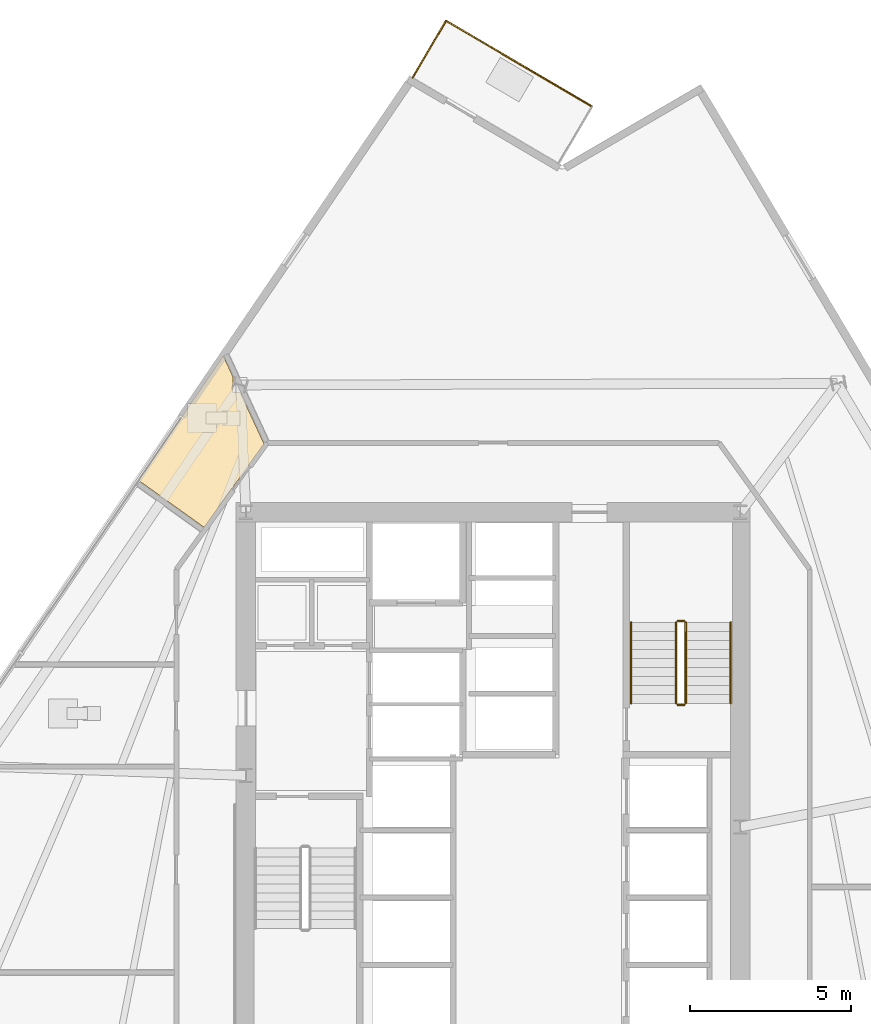
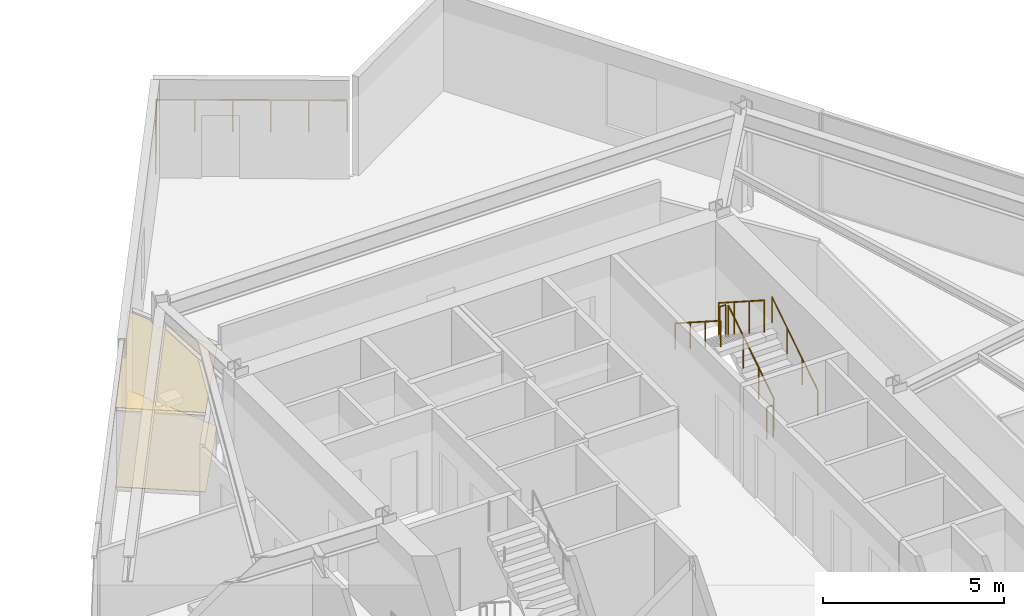
# One storey, part 16 of 18: 8 railings, 2 coverings.
"""IFC4 building model written with IfcOpenShell, lengths in metres."""

import ifcopenshell
import ifcopenshell.guid

model = None  # the IFC model being written
_history = None  # IfcOwnerHistory: only IFC2X3 demands one
_inside = {}  # id of a spatial element -> (the spatial element, [elements in it])
_under = {}  # id of a project, library or spatial element -> (it, [spatial elements below it])
_declared = {}  # id of a project -> (the project, [libraries it declares])
_typed = {}  # id of a type object -> (the type object, [elements of that type])
_made_of = {}  # id of a material, layer set ... -> (it, [elements and type objects made of it])


def new_model(schema):
    """Start an empty IFC model of exactly this schema.

    Asked for "IFC4X3", IfcOpenShell would pick the latest addendum, in which some entities
    have other attributes; the version numbers below select the first issue.
    IFC2X3 requires an IfcOwnerHistory on every rooted entity: one is made here for all.
    """
    global model, _history
    if schema == "IFC4X3":
        model = ifcopenshell.file(schema_version=(4, 3, 0, 0))
    else:
        model = ifcopenshell.file(schema=schema)
    _inside.clear()
    _under.clear()
    _declared.clear()
    _typed.clear()
    _made_of.clear()
    _history = None
    if model.schema == "IFC2X3":
        org = make("IfcOrganization", Name="unknown")
        user = make(
            "IfcPersonAndOrganization",
            ThePerson=make("IfcPerson", FamilyName="unknown"),
            TheOrganization=org,
        )
        app = make(
            "IfcApplication",
            ApplicationDeveloper=org,
            Version="unknown",
            ApplicationFullName="unknown",
            ApplicationIdentifier="unknown",
        )
        _history = make(
            "IfcOwnerHistory",
            OwningUser=user,
            OwningApplication=app,
            ChangeAction="ADDED",
            CreationDate=0,
        )
    return model


def make(cls, **values):
    """One entity of the class cls with the attributes given. An attribute that is None is left unset."""
    return model.create_entity(
        cls, **{name: value for name, value in values.items() if value is not None}
    )


def rooted(cls, **values):
    """An entity with a GlobalId (a new one), such as an element, a storey or a relation."""
    return make(cls, GlobalId=ifcopenshell.guid.new(), OwnerHistory=_history, **values)


def si_unit(unit_type, name, prefix=None):
    """IfcSIUnit, for example si_unit("LENGTHUNIT", "METRE", prefix="MILLI")."""
    return make("IfcSIUnit", UnitType=unit_type, Prefix=prefix, Name=name)


def assignment(units):
    """IfcUnitAssignment: the units of a project."""
    return None if units is None else make("IfcUnitAssignment", Units=units)


def point(xyz):
    """IfcCartesianPoint."""
    return None if xyz is None else make("IfcCartesianPoint", Coordinates=xyz)


def direction(xyz):
    """IfcDirection."""
    return None if xyz is None else make("IfcDirection", DirectionRatios=xyz)


def frame(location, z_axis=None, x_axis=None):
    """IfcAxis2Placement3D, a coordinate frame: its origin and axes. An axis left out is left unset."""
    return make(
        "IfcAxis2Placement3D",
        Location=point(location),
        Axis=direction(z_axis),
        RefDirection=direction(x_axis),
    )


def frame_2d(location, x_axis=None):
    """IfcAxis2Placement2D, a coordinate frame in the plane: its origin and x axis."""
    return make(
        "IfcAxis2Placement2D", Location=point(location), RefDirection=direction(x_axis)
    )


def origin():
    """The frame at (0, 0, 0) with its axes left unset."""
    return frame((0.0, 0.0, 0.0))


def origin_2d():
    """The frame at (0, 0) in the plane with its x axis left unset."""
    return frame_2d((0.0, 0.0))


def place(relative_to, where):
    """IfcLocalPlacement: puts the frame where relative to a parent placement (None: the world)."""
    return make(
        "IfcLocalPlacement", PlacementRelTo=relative_to, RelativePlacement=where
    )


def context(
    kind, dimensions, precision=None, world=None, true_north=None, identifier=None
):
    """IfcGeometricRepresentationContext, for example the 3D "Model" context."""
    return make(
        "IfcGeometricRepresentationContext",
        ContextIdentifier=identifier,
        ContextType=kind,
        CoordinateSpaceDimension=dimensions,
        Precision=precision,
        WorldCoordinateSystem=world,
        TrueNorth=true_north,
    )


def subcontext(parent, identifier, kind, view, scale=None):
    """IfcGeometricRepresentationSubContext, for example "Body" below "Model"."""
    return make(
        "IfcGeometricRepresentationSubContext",
        ContextIdentifier=identifier,
        ContextType=kind,
        ParentContext=parent,
        TargetScale=scale,
        TargetView=view,
    )


def project(units=None, contexts=None):
    """IfcProject with its units and contexts."""
    return rooted(
        "IfcProject",
        Name="project",
        RepresentationContexts=contexts,
        UnitsInContext=assignment(units),
    )


def spatial(cls, under=None, at=None, **own):
    """A site, building, storey or space (cls), placed at a placement, below another one or the project."""
    s = rooted(cls, ObjectPlacement=at, **own)
    if under is not None:
        _under.setdefault(under.id(), (under, []))[1].append(s)
    return s


def polyline(points):
    """IfcPolyline through the points."""
    return make("IfcPolyline", Points=[point(p) for p in points])


def profile(cls, at=None, kind="AREA", **sizes):
    """A parametric profile (cls). Its sizes go by their IFC names, for example OverallWidth=200.0."""
    return make(cls, ProfileType=kind, Position=at, **sizes)


def circle(**sizes):
    """IfcCircleProfileDef."""
    return profile("IfcCircleProfileDef", **sizes)


def outline(outer, holes=None, kind="AREA"):
    """IfcArbitraryClosedProfileDef: a profile drawn as a closed curve; with holes, ...WithVoids."""
    if holes is None:
        return make("IfcArbitraryClosedProfileDef", ProfileType=kind, OuterCurve=outer)
    return make(
        "IfcArbitraryProfileDefWithVoids",
        ProfileType=kind,
        OuterCurve=outer,
        InnerCurves=holes,
    )


def extrude(swept, where, along, depth):
    """IfcExtrudedAreaSolid: the profile swept, set in the frame where, extruded along a direction by depth."""
    return make(
        "IfcExtrudedAreaSolid",
        SweptArea=swept,
        Position=where,
        ExtrudedDirection=direction(along),
        Depth=depth,
    )


def shape(context_of_items, identifier, shape_type, items):
    """IfcShapeRepresentation: the items that make up one representation, for example the "Body"."""
    return make(
        "IfcShapeRepresentation",
        ContextOfItems=context_of_items,
        RepresentationIdentifier=identifier,
        RepresentationType=shape_type,
        Items=items,
    )


def material(Name=None, Category=None):
    """IfcMaterial."""
    return make("IfcMaterial", Name=Name, Category=Category)


def layer(
    of_material, thickness, ventilated=None, Name=None, Category=None, Priority=None
):
    """IfcMaterialLayer: one layer of a wall or slab, of a material (None: an air gap)."""
    return make(
        "IfcMaterialLayer",
        Material=of_material,
        LayerThickness=thickness,
        IsVentilated=ventilated,
        Name=Name,
        Category=Category,
        Priority=Priority,
    )


def layer_set(layers, Name=None):
    """IfcMaterialLayerSet."""
    return make("IfcMaterialLayerSet", MaterialLayers=layers, LayerSetName=Name)


def made_of(thing, what):
    """Note that an element or type object is made of a material, layer set ...; save() writes the relation."""
    if what is not None:
        _made_of.setdefault(what.id(), (what, []))[1].append(thing)
    return thing


def type_object(cls, material=None, **own):
    """A type object (cls), such as IfcWallType, which elements share."""
    return made_of(rooted(cls, **own), material)


def element(
    cls,
    number,
    at=None,
    inside=None,
    cuts=None,
    type_object=None,
    material=None,
    context=None,
    identifier="Body",
    shape_type=None,
    held_by="IfcProductDefinitionShape",
    body=None,
    shapes=None,
    **own,
):
    """One element of the class cls, such as IfcWall. Its Tag is "e" and its number.

    at: its placement. inside: the storey or other place that contains it. cuts: it is an
    opening in that element (IfcRelVoidsElement). A single representation is given by context,
    identifier, shape_type and body (its items); several are given by shapes. held_by: the class
    of the entity that holds the representations. save() writes the other relations.
    """
    e = rooted(cls, Tag="e%d" % number, ObjectPlacement=at, **own)
    if body is not None:
        shapes = [shape(context, identifier, shape_type, body)]
    if shapes is not None:
        e.Representation = make(held_by, Representations=shapes)
    if inside is not None:
        _inside.setdefault(inside.id(), (inside, []))[1].append(e)
    if cuts is not None:
        rooted(
            "IfcRelVoidsElement", RelatingBuildingElement=cuts, RelatedOpeningElement=e
        )
    if type_object is not None:
        _typed.setdefault(type_object.id(), (type_object, []))[1].append(e)
    return made_of(e, material)


def aggregate(whole, parts):
    """IfcRelAggregates: a whole, such as a stair, and the parts it consists of."""
    return rooted("IfcRelAggregates", RelatingObject=whole, RelatedObjects=parts)


def save(model, path):
    """Write the relations noted so far, then the file.

    IfcRelAggregates (storeys below a building ...), IfcRelContainedInSpatialStructure (elements
    in a storey), IfcRelDefinesByType, IfcRelAssociatesMaterial and IfcRelDeclares: one each for
    every whole, place, type object, material and project.
    """
    for whole, parts in _under.values():
        aggregate(whole, parts)
    for where, things in _inside.values():
        rooted(
            "IfcRelContainedInSpatialStructure",
            RelatedElements=things,
            RelatingStructure=where,
        )
    for kind, things in _typed.values():
        rooted("IfcRelDefinesByType", RelatedObjects=things, RelatingType=kind)
    for what, things in _made_of.values():
        rooted("IfcRelAssociatesMaterial", RelatedObjects=things, RelatingMaterial=what)
    for by, libraries in _declared.values():
        rooted("IfcRelDeclares", RelatingContext=by, RelatedDefinitions=libraries)
    model.write(path)


model = new_model("IFC4")

# Units and contexts
model_context = context("Model", 3, precision=1e-05, world=origin(), true_north=direction((0.0, 1.0)))
body_context = subcontext(model_context, "Body", "Model", "MODEL_VIEW")
ifc_project = project(units=[si_unit("LENGTHUNIT", "METRE"), si_unit("AREAUNIT", "SQUARE_METRE"), si_unit("VOLUMEUNIT", "CUBIC_METRE"), si_unit("PLANEANGLEUNIT", "RADIAN"), si_unit("MASSUNIT", "GRAM", prefix="KILO")], contexts=[model_context])

# Site, building, storey
site_placement = place(None, origin())
site = spatial("IfcSite", under=ifc_project, at=site_placement, CompositionType="ELEMENT")
building_placement = place(site_placement, origin())
building = spatial("IfcBuilding", under=site, at=building_placement, Name="Savorim Split Tower", CompositionType="ELEMENT")
storey_placement = place(building_placement, frame((0.0, 0.0, 37.199951171875)))
storey = spatial("IfcBuildingStorey", under=building, at=storey_placement, Name="L09", CompositionType="ELEMENT", Elevation=37.199951171875)

# Coverings
ifc_material_1 = material(Name="Mineral Fibre Acoustic Ceiling")
ifc_layer_1 = layer(ifc_material_1, 0.02490234375)
ifc_layer_set_1 = layer_set([ifc_layer_1], Name="COV-CEIL-25")
covering_type_1 = type_object("IfcCoveringType", Name="COV-CEIL-25", PredefinedType="CEILING", material=ifc_layer_set_1)
covering_1_placement = place(storey_placement, frame((0.0, 0.0, 2.670166015625)))
element("IfcCovering", 1, at=covering_1_placement, inside=storey, type_object=covering_type_1, Name="L09 Shared Bathroom Acoustic Ceiling", PredefinedType="CEILING", context=body_context, shape_type="SweptSolid", body=[
    extrude(outline(polyline([(-8.099853515625, 14.402587890625), (-8.094482421875, 14.402587890625), (-8.404052734375, 15.0703125), (-8.404541015625, 15.071533203125), (-11.041748046875, 11.195068359375), (-8.99853515625, 9.73095703125), (-7.135009765625, 12.331787109375), (-7.878662109375, 13.936767578125), (-8.099853515625, 13.936767578125), (-8.099853515625, 14.402587890625)])), origin(), (0.0, 0.0, 1.0), 0.02490234375),
])
ifc_material_2 = material(Name="Porcelain Stoneware Flooring", Category="masonry")
ifc_layer_2 = layer(ifc_material_2, 0.02001953125)
ifc_layer_set_2 = layer_set([ifc_layer_2], Name="COV-FLOR-20")
covering_type_2 = type_object("IfcCoveringType", Name="COV-FLOR-20", PredefinedType="FLOORING", material=ifc_layer_set_2)
covering_2_placement = place(storey_placement, origin())
element("IfcCovering", 2, at=covering_2_placement, inside=storey, type_object=covering_type_2, Name="L09 Shared Bathroom Porcelain Flooring", PredefinedType="FLOORING", context=body_context, shape_type="SweptSolid", body=[
    extrude(outline(polyline([(-8.099853515625, 14.402587890625), (-8.094482421875, 14.402587890625), (-8.404052734375, 15.0703125), (-8.404541015625, 15.071533203125), (-11.041748046875, 11.195068359375), (-8.99853515625, 9.73095703125), (-7.135009765625, 12.331787109375), (-7.878662109375, 13.936767578125), (-8.099853515625, 13.936767578125), (-8.099853515625, 14.402587890625)])), origin(), (0.0, 0.0, 1.0), 0.02001953125),
])

# Railings
ifc_material_3 = material(Name="Galvanised Painted Steel Balustrade", Category="steel")
railing_type_1 = type_object("IfcRailingType", Name="RLG-BAL-1100", PredefinedType="BALUSTRADE", material=ifc_material_3)
railing_1_placement = place(storey_placement, frame((-2.5048828125, 23.744384765625, 0.0)))
element("IfcRailing", 3, at=railing_1_placement, inside=storey, type_object=railing_type_1, Name="L09 Tree Balcony Guardrail N-1", PredefinedType="BALUSTRADE", context=body_context, shape_type="SweptSolid", body=[
    extrude(circle(Radius=0.02392578125, at=origin_2d()), frame((0.0, 0.0, 1.076171875), z_axis=(0.50664533146, 0.862154573211, 0.0), x_axis=(-0.862154573211, 0.50664533146, 0.0)), (0.0, 0.0, 1.0), 2.0498046875),
    extrude(circle(Radius=0.02099609375, at=origin_2d()), origin(), (0.0, 0.0, 1.0), 1.052001953125),
    extrude(circle(Radius=0.02099609375, at=origin_2d()), frame((0.519287109375, 0.8837890625, 0.0)), (0.0, 0.0, 1.0), 1.052001953125),
    extrude(circle(Radius=0.02099609375, at=origin_2d()), frame((1.03857421875, 1.767333984375, 0.0)), (0.0, 0.0, 1.0), 1.052001953125),
])
railing_2_placement = place(storey_placement, frame((-1.46630859375, 25.51171875, 0.0)))
element("IfcRailing", 4, at=railing_2_placement, inside=storey, type_object=railing_type_1, Name="L09 Tree Balcony Guardrail N-2", PredefinedType="BALUSTRADE", context=body_context, shape_type="SweptSolid", body=[
    extrude(circle(Radius=0.02392578125, at=origin_2d()), frame((0.0, 0.0, 1.076171875), z_axis=(0.862125548923, -0.506694718637, 0.0), x_axis=(0.506694718637, 0.862125548923, 0.0)), (0.0, 0.0, 1.0), 5.279296875),
    extrude(circle(Radius=0.02099609375, at=origin_2d()), origin(), (0.0, 0.0, 1.0), 1.052001953125),
    extrude(circle(Radius=0.02099609375, at=origin_2d()), frame((0.910400390625, -0.534912109375, 0.0)), (0.0, 0.0, 1.0), 1.052001953125),
    extrude(circle(Radius=0.02099609375, at=origin_2d()), frame((1.820556640625, -1.070068359375, 0.0)), (0.0, 0.0, 1.0), 1.052001953125),
    extrude(circle(Radius=0.02099609375, at=origin_2d()), frame((2.73095703125, -1.60498046875, 0.0)), (0.0, 0.0, 1.0), 1.052001953125),
    extrude(circle(Radius=0.02099609375, at=origin_2d()), frame((3.64111328125, -2.14013671875, 0.0)), (0.0, 0.0, 1.0), 1.052001953125),
    extrude(circle(Radius=0.02099609375, at=origin_2d()), frame((4.551513671875, -2.675048828125, 0.0)), (0.0, 0.0, 1.0), 1.052001953125),
])
railing_type_2 = type_object("IfcRailingType", Name="RLG-HR-900", PredefinedType="HANDRAIL", material=ifc_material_3)
railing_3_placement = place(storey_placement, frame((7.39990234375, 4.25, 0.179931640625)))
element("IfcRailing", 5, at=railing_3_placement, inside=storey, type_object=railing_type_2, Name="L09 ST-2 stair handrail 1", PredefinedType="HANDRAIL", context=body_context, shape_type="SweptSolid", body=[
    extrude(circle(Radius=0.02392578125, at=origin_2d()), frame((0.0, 0.0, 0.8759765625), z_axis=(0.0, 0.841162588446, 0.540782303519), x_axis=(-1.0, 0.0, 0.0)), (0.0, 0.0, 1.0), 2.995849609375),
    extrude(circle(Radius=0.02099609375, at=origin_2d()), origin(), (0.0, 0.0, 1.0), 0.851806640625),
    extrude(circle(Radius=0.02099609375, at=origin_2d()), frame((0.0, 0.840087890625, 0.5400390625)), (0.0, 0.0, 1.0), 0.851806640625),
    extrude(circle(Radius=0.02099609375, at=origin_2d()), frame((0.0, 1.679931640625, 1.080078125)), (0.0, 0.0, 1.0), 0.851806640625),
    extrude(circle(Radius=0.02099609375, at=origin_2d()), frame((0.0, 2.52001953125, 1.6201171875)), (0.0, 0.0, 1.0), 0.851806640625),
])
railing_4_placement = place(storey_placement, frame((4.300048828125, 6.77001953125, 1.97998046875)))
element("IfcRailing", 6, at=railing_4_placement, inside=storey, type_object=railing_type_2, Name="L09 ST-2 stair handrail 2", PredefinedType="HANDRAIL", context=body_context, shape_type="SweptSolid", body=[
    extrude(circle(Radius=0.02392578125, at=origin_2d()), frame((0.0, 0.0, 0.8759765625), z_axis=(0.0, -0.841162588446, 0.540782303519), x_axis=(1.0, 0.0, 0.0)), (0.0, 0.0, 1.0), 2.995849609375),
    extrude(circle(Radius=0.02099609375, at=origin_2d()), origin(), (0.0, 0.0, 1.0), 0.851806640625),
    extrude(circle(Radius=0.02099609375, at=origin_2d()), frame((0.0, -0.840087890625, 0.5400390625)), (0.0, 0.0, 1.0), 0.851806640625),
    extrude(circle(Radius=0.02099609375, at=origin_2d()), frame((0.0, -1.679931640625, 1.080078125)), (0.0, 0.0, 1.0), 0.851806640625),
    extrude(circle(Radius=0.02099609375, at=origin_2d()), frame((0.0, -2.52001953125, 1.6201171875)), (0.0, 0.0, 1.0), 0.851806640625),
])
railing_type_3 = type_object("IfcRailingType", Name="RLG-STG-1100", PredefinedType="BALUSTRADE", material=ifc_material_3)
railing_5_placement = place(storey_placement, frame((6.0, 4.25, 0.179931640625)))
element("IfcRailing", 7, at=railing_5_placement, inside=storey, type_object=railing_type_3, Name="L09 ST-2 stair guard 1", PredefinedType="BALUSTRADE", context=body_context, shape_type="SweptSolid", body=[
    extrude(circle(Radius=0.02392578125, at=origin_2d()), frame((0.0, 0.0, 1.076171875), z_axis=(0.0, 0.841162588446, 0.540782303519), x_axis=(-1.0, 0.0, 0.0)), (0.0, 0.0, 1.0), 2.995849609375),
    extrude(circle(Radius=0.02099609375, at=origin_2d()), origin(), (0.0, 0.0, 1.0), 1.052001953125),
    extrude(circle(Radius=0.02099609375, at=origin_2d()), frame((0.0, 0.840087890625, 0.5400390625)), (0.0, 0.0, 1.0), 1.052001953125),
    extrude(circle(Radius=0.02099609375, at=origin_2d()), frame((0.0, 1.679931640625, 1.080078125)), (0.0, 0.0, 1.0), 1.052001953125),
    extrude(circle(Radius=0.02099609375, at=origin_2d()), frame((0.0, 2.52001953125, 1.6201171875)), (0.0, 0.0, 1.0), 1.052001953125),
])
railing_6_placement = place(storey_placement, frame((5.949951171875, 6.820068359375, 1.800048828125)))
element("IfcRailing", 8, at=railing_6_placement, inside=storey, type_object=railing_type_3, Name="L09 ST-2 stair guard 2", PredefinedType="BALUSTRADE", context=body_context, shape_type="SweptSolid", body=[
    extrude(circle(Radius=0.02392578125, at=origin_2d()), frame((0.0, 0.0, 1.076171875), z_axis=(-1.0, 0.0, 0.0), x_axis=(0.0, -1.0, 0.0)), (0.0, 0.0, 1.0), 0.199951171875),
    extrude(circle(Radius=0.02099609375, at=origin_2d()), origin(), (0.0, 0.0, 1.0), 1.052001953125),
    extrude(circle(Radius=0.02099609375, at=origin_2d()), frame((-0.199951171875, 0.0, 0.0)), (0.0, 0.0, 1.0), 1.052001953125),
])
railing_7_placement = place(storey_placement, frame((5.699951171875, 6.77001953125, 1.97998046875)))
element("IfcRailing", 9, at=railing_7_placement, inside=storey, type_object=railing_type_3, Name="L09 ST-2 stair guard 3", PredefinedType="BALUSTRADE", context=body_context, shape_type="SweptSolid", body=[
    extrude(circle(Radius=0.02392578125, at=origin_2d()), frame((0.0, 0.0, 1.076171875), z_axis=(0.0, -0.841162588446, 0.540782303519), x_axis=(1.0, 0.0, 0.0)), (0.0, 0.0, 1.0), 2.995849609375),
    extrude(circle(Radius=0.02099609375, at=origin_2d()), origin(), (0.0, 0.0, 1.0), 1.052001953125),
    extrude(circle(Radius=0.02099609375, at=origin_2d()), frame((0.0, -0.840087890625, 0.5400390625)), (0.0, 0.0, 1.0), 1.052001953125),
    extrude(circle(Radius=0.02099609375, at=origin_2d()), frame((0.0, -1.679931640625, 1.080078125)), (0.0, 0.0, 1.0), 1.052001953125),
    extrude(circle(Radius=0.02099609375, at=origin_2d()), frame((0.0, -2.52001953125, 1.6201171875)), (0.0, 0.0, 1.0), 1.052001953125),
])
railing_8_placement = place(storey_placement, frame((5.949951171875, 4.199951171875, 0.0)))
element("IfcRailing", 10, at=railing_8_placement, inside=storey, type_object=railing_type_3, Name="L09 ST-2 stair guard 4", PredefinedType="BALUSTRADE", context=body_context, shape_type="SweptSolid", body=[
    extrude(circle(Radius=0.02392578125, at=origin_2d()), frame((0.0, 0.0, 1.076171875), z_axis=(-1.0, 0.0, 0.0), x_axis=(0.0, -1.0, 0.0)), (0.0, 0.0, 1.0), 0.199951171875),
    extrude(circle(Radius=0.02099609375, at=origin_2d()), origin(), (0.0, 0.0, 1.0), 1.052001953125),
    extrude(circle(Radius=0.02099609375, at=origin_2d()), frame((-0.199951171875, 0.0, 0.0)), (0.0, 0.0, 1.0), 1.052001953125),
])

save(model, "model.ifc")
